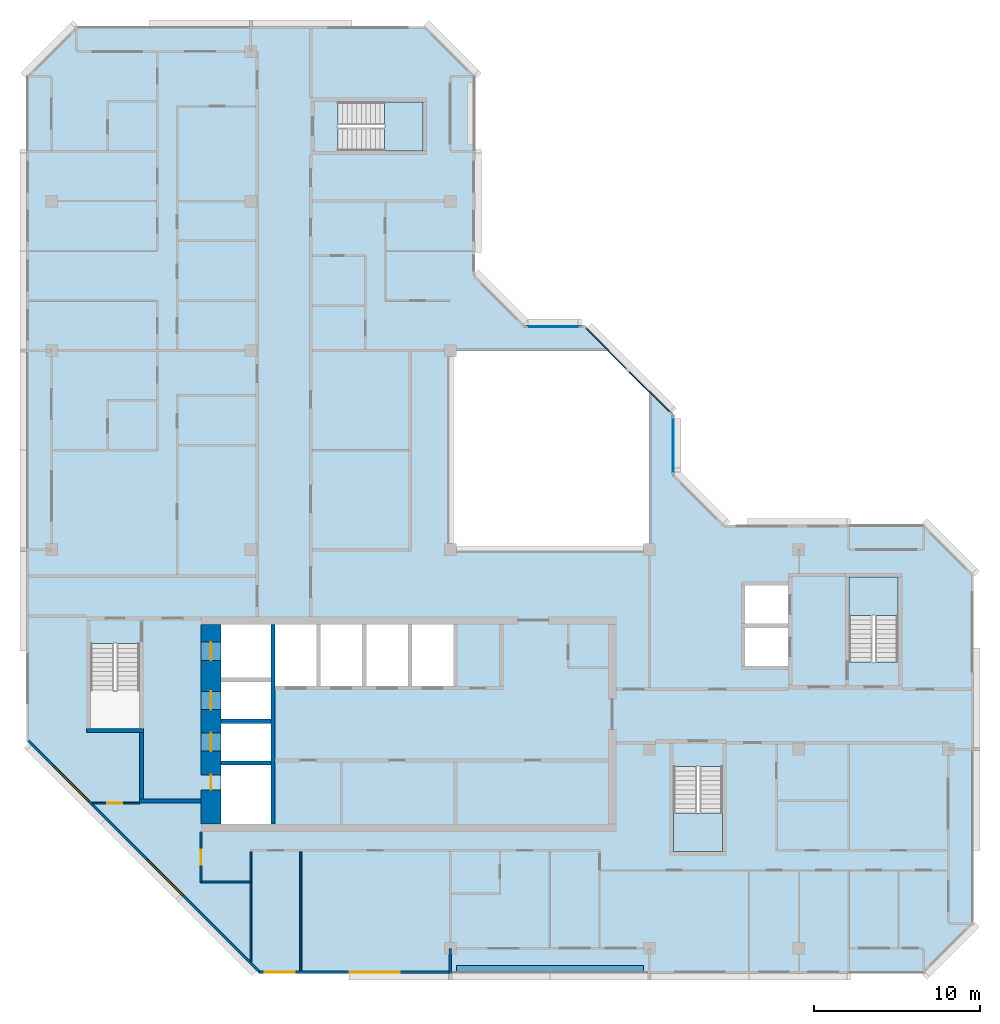
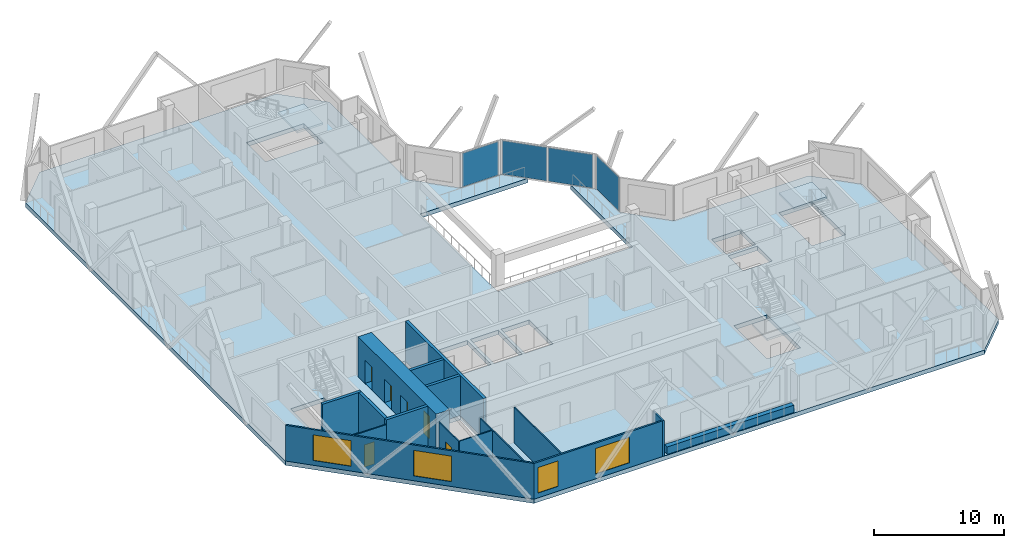
# One storey, part 3 of 12: 16 walls, 6 doors, 4 plates, 4 slabs, 4 windows, 10 openings, 6 elements without a shape of their own.
"""IFC4 building model written with IfcOpenShell, lengths in metres."""

from ifc_helpers import new_model, si_unit, direction, frame, frame_2d, origin, origin_2d, place, context, subcontext, project, spatial, polyline, rectangle, outline, extrude, material, layer, layer_set, type_object, element, fill, aggregate, save


model = new_model("IFC4")

# Units and contexts
model_context = context("Model", 3, precision=1e-05, world=origin(), true_north=direction((0.0, 1.0)))
body_context = subcontext(model_context, "Body", "Model", "MODEL_VIEW")
ifc_project = project(units=[si_unit("LENGTHUNIT", "METRE"), si_unit("AREAUNIT", "SQUARE_METRE"), si_unit("VOLUMEUNIT", "CUBIC_METRE"), si_unit("PLANEANGLEUNIT", "RADIAN"), si_unit("MASSUNIT", "GRAM", prefix="KILO")], contexts=[model_context])

# Site, building, storey
site_placement = place(None, origin())
site = spatial("IfcSite", under=ifc_project, at=site_placement, CompositionType="ELEMENT")
building_placement = place(site_placement, origin())
building = spatial("IfcBuilding", under=site, at=building_placement, Name="Chenar Terraces", CompositionType="ELEMENT")
storey_placement = place(building_placement, frame((0.0, 0.0, 338.89990234375)))
storey = spatial("IfcBuildingStorey", under=building, at=storey_placement, Name="L78", CompositionType="ELEMENT", Elevation=338.89990234375)

# Curtain wall, plate
ifc_material_1 = material(Name="Aluminium framed glazing", Category="aluminium")
ifc_layer_1 = layer(ifc_material_1, 0.14990234375)
ifc_layer_set_1 = layer_set([ifc_layer_1], Name="Aluminium framed glazing")
curtain_wall_type = type_object("IfcCurtainWallType", Name="Atrium upper-zone curtain wall", PredefinedType="NOTDEFINED", material=ifc_layer_set_1)
placement_1 = place(storey_placement, origin())
curtain_wall_1 = element("IfcCurtainWall", 1, at=placement_1, inside=storey, type_object=curtain_wall_type, Name="Atrium upper-zone curtain wall", PredefinedType="NOTDEFINED")
ifc_material_2 = material(Name="Low emissivity laminated glass, solar control coating", Category="glass")
ifc_layer_2 = layer(ifc_material_2, 0.050048828125)
ifc_layer_set_2 = layer_set([ifc_layer_2], Name="Low emissivity laminated glass, solar control coating")
plate_type = type_object("IfcPlateType", Name="Atrium upper-zone glazing panel 50", PredefinedType="CURTAIN_PANEL", material=ifc_layer_set_2)
plate_1_placement = place(storey_placement, frame((37.425048828125, 30.300048828125, 0.10009765625), z_axis=(0.0, 0.0, 1.0), x_axis=(0.0, 1.0, 0.0)))
plate_1 = element("IfcPlate", 2, at=plate_1_placement, type_object=plate_type, Name="CW8-1 panel 1.1", PredefinedType="CURTAIN_PANEL", context=body_context, shape_type="SweptSolid", body=[
    extrude(rectangle(XDim=3.39990234375, YDim=0.050048828125, at=origin_2d()), origin(), (0.0, 0.0, 1.0), 3.14990234375),
])
aggregate(curtain_wall_1, [plate_1])

# Curtain wall, plates
curtain_wall_2 = element("IfcCurtainWall", 3, at=placement_1, inside=storey, type_object=curtain_wall_type, Name="Atrium upper-zone curtain wall", PredefinedType="NOTDEFINED")
plate_2_placement = place(storey_placement, frame((35.97314453125, 33.520751953125, 0.10009765625), z_axis=(0.0, 0.0, 1.0), x_axis=(-0.707106781187, 0.707106781187, 0.0)))
plate_2 = element("IfcPlate", 4, at=plate_2_placement, type_object=plate_type, Name="CW8-2 panel 1.1", PredefinedType="CURTAIN_PANEL", context=body_context, shape_type="SweptSolid", body=[
    extrude(rectangle(XDim=3.568359375, YDim=0.050048828125, at=origin_2d()), origin(), (0.0, 0.0, 1.0), 3.14990234375),
])
plate_3_placement = place(storey_placement, frame((33.379150390625, 36.11474609375, 0.10009765625), z_axis=(0.0, 0.0, 1.0), x_axis=(-0.707106781187, 0.707106781187, 0.0)))
plate_3 = element("IfcPlate", 5, at=plate_3_placement, type_object=plate_type, Name="CW8-2 panel 2.1", PredefinedType="CURTAIN_PANEL", context=body_context, shape_type="SweptSolid", body=[
    extrude(rectangle(XDim=3.568359375, YDim=0.050048828125, at=origin_2d()), origin(), (0.0, 0.0, 1.0), 3.14990234375),
])
aggregate(curtain_wall_2, [plate_2, plate_3])

# Curtain wall, plate
curtain_wall_3 = element("IfcCurtainWall", 6, at=placement_1, inside=storey, type_object=curtain_wall_type, Name="Atrium upper-zone curtain wall", PredefinedType="NOTDEFINED")
plate_4_placement = place(storey_placement, frame((30.199951171875, 37.425048828125, 0.10009765625), z_axis=(0.0, 0.0, 1.0), x_axis=(-1.0, 0.0, 0.0)))
plate_4 = element("IfcPlate", 7, at=plate_4_placement, type_object=plate_type, Name="CW8-3 panel 1.1", PredefinedType="CURTAIN_PANEL", context=body_context, shape_type="SweptSolid", body=[
    extrude(rectangle(XDim=3.199951171875, YDim=0.050048828125, at=origin_2d()), origin(), (0.0, 0.0, 1.0), 3.14990234375),
])
aggregate(curtain_wall_3, [plate_4])

# Stair, slab
ifc_material_3 = material(Name="Reinforced concrete C40/50", Category="concrete")
stair_type = type_object("IfcStairType", Name="Core stair 1400 half-turn", PredefinedType="HALF_TURN_STAIR", material=ifc_material_3)
stair_1 = element("IfcStair", 8, at=placement_1, inside=storey, type_object=stair_type, Name="L78 Stair 2", PredefinedType="HALF_TURN_STAIR")
ifc_material_4 = material(Name="Reinforced concrete C40/50", Category="concrete")
ifc_layer_3 = layer(ifc_material_4, 0.199951171875)
ifc_layer_set_3 = layer_set([ifc_layer_3], Name="Reinforced concrete C40/50")
slab_type_1 = type_object("IfcSlabType", Name="Core stair landing 200", PredefinedType="LANDING", material=ifc_layer_set_3)
placement_2 = place(storey_placement, frame((0.0, 0.0, 1.675048828125)))
slab_1 = element("IfcSlab", 9, at=placement_2, type_object=slab_type_1, Name="ST2 landing 1", PredefinedType="LANDING", context=body_context, shape_type="SweptSolid", body=[
    extrude(outline(polyline([(37.449951171875, 8.14990234375), (37.449951171875, 5.85009765625), (40.39990234375, 5.85009765625), (40.39990234375, 8.14990234375), (37.449951171875, 8.14990234375)])), origin(), (0.0, 0.0, 1.0), 0.199951171875),
])
aggregate(stair_1, [slab_1])

stair_2 = element("IfcStair", 10, at=placement_1, inside=storey, type_object=stair_type, Name="L78 Stair 3", PredefinedType="HALF_TURN_STAIR")
slab_2 = element("IfcSlab", 11, at=placement_2, type_object=slab_type_1, Name="ST3 landing 1", PredefinedType="LANDING", context=body_context, shape_type="SweptSolid", body=[
    extrude(outline(polyline([(50.97509765625, 20.050048828125), (50.97509765625, 22.35009765625), (48.02490234375, 22.35009765625), (48.02490234375, 20.050048828125), (50.97509765625, 20.050048828125)])), origin(), (0.0, 0.0, 1.0), 0.199951171875),
])
aggregate(stair_2, [slab_2])

stair_3 = element("IfcStair", 12, at=placement_1, inside=storey, type_object=stair_type, Name="L78 Stair 4", PredefinedType="HALF_TURN_STAIR")
slab_3 = element("IfcSlab", 13, at=placement_2, type_object=slab_type_1, Name="ST4 landing 1", PredefinedType="LANDING", context=body_context, shape_type="SweptSolid", body=[
    extrude(outline(polyline([(20.050048828125, 48.02490234375), (22.35009765625, 48.02490234375), (22.35009765625, 50.97509765625), (20.050048828125, 50.97509765625), (20.050048828125, 48.02490234375)])), origin(), (0.0, 0.0, 1.0), 0.199951171875),
])
aggregate(stair_3, [slab_3])

# Slab
ifc_material_5 = material(Name="Concrete C40/50", Category="concrete")
ifc_layer_4 = layer(ifc_material_5, 0.39990234375)
ifc_layer_set_4 = layer_set([ifc_layer_4], Name="Concrete C40/50")
slab_type_2 = type_object("IfcSlabType", Name="Floor slab 400 Concrete C40/50", PredefinedType="FLOOR", material=ifc_layer_set_4)
slab_4_placement = place(storey_placement, frame((0.0, 0.0, -0.39990234375)))
element("IfcSlab", 14, at=slab_4_placement, inside=storey, type_object=slab_type_2, Name="Floor slab L78", PredefinedType="FLOOR", context=body_context, shape_type="SweptSolid", body=[
    extrude(outline(polyline([(55.5, 22.5), (55.5, 1.5), (52.5, -1.5), (12.5, -1.5), (-1.5, 12.5), (-1.5, 52.5), (1.5, 55.5), (22.5, 55.5), (25.5, 52.5), (25.5, 40.5), (28.5, 37.5), (32.10009765625, 37.5), (33.60009765625, 36.0), (24.0, 36.0), (24.0, 24.0), (36.0, 24.0), (36.0, 33.60009765625), (37.5, 32.10009765625), (37.5, 28.5), (40.5, 25.5), (52.5, 25.5), (55.5, 22.5)]), holes=[polyline([(10.199951171875, 11.050048828125), (10.199951171875, 7.5), (13.199951171875, 7.5), (13.199951171875, 11.050048828125), (10.199951171875, 11.050048828125)]), polyline([(13.199951171875, 13.550048828125), (10.199951171875, 13.550048828125), (10.199951171875, 11.300048828125), (13.199951171875, 11.300048828125), (13.199951171875, 13.550048828125)]), polyline([(13.199951171875, 16.050048828125), (10.199951171875, 16.050048828125), (10.199951171875, 13.800048828125), (13.199951171875, 13.800048828125), (13.199951171875, 16.050048828125)]), polyline([(2.35009765625, 13.25), (5.300048828125, 13.25), (5.300048828125, 18.35009765625), (2.35009765625, 18.35009765625), (2.35009765625, 13.25)]), polyline([(15.949951171875, 19.5), (13.449951171875, 19.5), (13.449951171875, 15.800048828125), (15.949951171875, 15.800048828125), (15.949951171875, 19.5)]), polyline([(18.699951171875, 19.5), (16.199951171875, 19.5), (16.199951171875, 15.800048828125), (18.699951171875, 15.800048828125), (18.699951171875, 19.5)]), polyline([(13.199951171875, 19.5), (10.199951171875, 19.5), (10.199951171875, 16.300048828125), (13.199951171875, 16.300048828125), (13.199951171875, 19.5)]), polyline([(22.35009765625, 48.02490234375), (22.35009765625, 50.97509765625), (17.25, 50.97509765625), (17.25, 48.02490234375), (22.35009765625, 48.02490234375)]), polyline([(37.449951171875, 5.85009765625), (40.39990234375, 5.85009765625), (40.39990234375, 10.949951171875), (37.449951171875, 10.949951171875), (37.449951171875, 5.85009765625)]), polyline([(21.449951171875, 19.5), (18.949951171875, 19.5), (18.949951171875, 15.800048828125), (21.449951171875, 15.800048828125), (21.449951171875, 19.5)]), polyline([(24.199951171875, 19.5), (21.699951171875, 19.5), (21.699951171875, 15.800048828125), (24.199951171875, 15.800048828125), (24.199951171875, 19.5)]), polyline([(44.35009765625, 19.300048828125), (41.75, 19.300048828125), (41.75, 17.0), (44.35009765625, 17.0), (44.35009765625, 19.300048828125)]), polyline([(50.97509765625, 22.35009765625), (48.02490234375, 22.35009765625), (48.02490234375, 17.25), (50.97509765625, 17.25), (50.97509765625, 22.35009765625)]), polyline([(44.35009765625, 21.85009765625), (41.75, 21.85009765625), (41.75, 19.550048828125), (44.35009765625, 19.550048828125), (44.35009765625, 21.85009765625)])]), origin(), (0.0, 0.0, 1.0), 0.39990234375),
])

# Wall, openings, doors
ifc_material_6 = material(Name="Concrete C50/60", Category="concrete")
ifc_layer_5 = layer(ifc_material_6, 1.199951171875)
ifc_layer_set_5 = layer_set([ifc_layer_5], Name="Concrete C50/60")
wall_type_1 = type_object("IfcWallType", Name="Core wall 1200 Concrete C50/60", PredefinedType="SHEAR", material=ifc_layer_set_5)
wall_1_placement = place(storey_placement, frame((9.60009765625, 7.5, 0.0), z_axis=(0.0, 0.0, 1.0), x_axis=(0.0, 1.0, 0.0)))
wall_1 = element("IfcWall", 15, at=wall_1_placement, inside=storey, type_object=wall_type_1, Name="Core wall W L78", PredefinedType="SHEAR", context=body_context, shape_type="SweptSolid", body=[
    extrude(rectangle(XDim=12.0, YDim=1.199951171875, at=frame_2d((6.0, 0.0))), origin(), (0.0, 0.0, 1.0), 3.75),
])
opening_1_placement = place(wall_1_placement, frame((4.375, 0.0, 0.0)))
opening_1 = element("IfcOpeningElement", 16, at=opening_1_placement, cuts=wall_1, Name="Opening DL78-LD5", PredefinedType="OPENING", context=body_context, shape_type="SweptSolid", body=[
    extrude(rectangle(XDim=1.10009765625, YDim=2.199951171875, at=frame_2d((0.550048828125, 1.10009765625))), frame((0.0, 0.60986328125, 0.0), z_axis=(0.0, -1.0, 0.0), x_axis=(1.0, 0.0, 0.0)), (0.0, 0.0, 1.0), 1.219970703125),
])
opening_2_placement = place(wall_1_placement, frame((6.875, 0.0, 0.0)))
opening_2 = element("IfcOpeningElement", 17, at=opening_2_placement, cuts=wall_1, Name="Opening DL78-LD6", PredefinedType="OPENING", context=body_context, shape_type="SweptSolid", body=[
    extrude(rectangle(XDim=1.10009765625, YDim=2.199951171875, at=frame_2d((0.550048828125, 1.10009765625))), frame((0.0, 0.60986328125, 0.0), z_axis=(0.0, -1.0, 0.0), x_axis=(1.0, 0.0, 0.0)), (0.0, 0.0, 1.0), 1.219970703125),
])
opening_3_placement = place(wall_1_placement, frame((9.85009765625, 0.0, 0.0)))
opening_3 = element("IfcOpeningElement", 18, at=opening_3_placement, cuts=wall_1, Name="Opening DL78-LD7", PredefinedType="OPENING", context=body_context, shape_type="SweptSolid", body=[
    extrude(rectangle(XDim=1.10009765625, YDim=2.199951171875, at=frame_2d((0.550048828125, 1.10009765625))), frame((0.0, 0.60986328125, 0.0), z_axis=(0.0, -1.0, 0.0), x_axis=(1.0, 0.0, 0.0)), (0.0, 0.0, 1.0), 1.219970703125),
])
opening_4_placement = place(wall_1_placement, frame((2.050048828125, 0.0, 0.0)))
opening_4 = element("IfcOpeningElement", 19, at=opening_4_placement, cuts=wall_1, Name="Opening DL78-C4", PredefinedType="OPENING", context=body_context, shape_type="SweptSolid", body=[
    extrude(rectangle(XDim=0.89990234375, YDim=2.10009765625, at=frame_2d((0.449951171875, 1.050048828125))), frame((0.0, 0.60986328125, 0.0), z_axis=(0.0, -1.0, 0.0), x_axis=(1.0, 0.0, 0.0)), (0.0, 0.0, 1.0), 1.219970703125),
])
ifc_material_7 = material(Name="Stainless steel", Category="steel")
door_type_1 = type_object("IfcDoorType", Name="Lift landing door 1100 x 2200 sliding", OperationType="DOUBLE_DOOR_SLIDING", PredefinedType="DOOR", material=ifc_material_7)
door_1_placement = place(opening_1_placement, origin())
door_1 = element("IfcDoor", 20, at=door_1_placement, inside=storey, type_object=door_type_1, Name="Landing door S1", OperationType="DOUBLE_DOOR_SLIDING", OverallHeight=2.199951171875, OverallWidth=1.10009765625, PredefinedType="DOOR", context=body_context, shape_type="SweptSolid", body=[
    extrude(rectangle(XDim=1.10009765625, YDim=2.199951171875, at=frame_2d((0.550048828125, 1.10009765625))), frame((0.0, 0.02490234375, 0.0), z_axis=(0.0, -1.0, 0.0), x_axis=(1.0, 0.0, 0.0)), (0.0, 0.0, 1.0), 0.050048828125),
])
fill(opening_1, door_1)
door_2_placement = place(opening_2_placement, origin())
door_2 = element("IfcDoor", 21, at=door_2_placement, inside=storey, type_object=door_type_1, Name="Landing door F1", OperationType="DOUBLE_DOOR_SLIDING", OverallHeight=2.199951171875, OverallWidth=1.10009765625, PredefinedType="DOOR", context=body_context, shape_type="SweptSolid", body=[
    extrude(rectangle(XDim=1.10009765625, YDim=2.199951171875, at=frame_2d((0.550048828125, 1.10009765625))), frame((0.0, 0.02490234375, 0.0), z_axis=(0.0, -1.0, 0.0), x_axis=(1.0, 0.0, 0.0)), (0.0, 0.0, 1.0), 0.050048828125),
])
fill(opening_2, door_2)
door_3_placement = place(opening_3_placement, origin())
door_3 = element("IfcDoor", 22, at=door_3_placement, inside=storey, type_object=door_type_1, Name="Landing door F2", OperationType="DOUBLE_DOOR_SLIDING", OverallHeight=2.199951171875, OverallWidth=1.10009765625, PredefinedType="DOOR", context=body_context, shape_type="SweptSolid", body=[
    extrude(rectangle(XDim=1.10009765625, YDim=2.199951171875, at=frame_2d((0.550048828125, 1.10009765625))), frame((0.0, 0.02490234375, 0.0), z_axis=(0.0, -1.0, 0.0), x_axis=(1.0, 0.0, 0.0)), (0.0, 0.0, 1.0), 0.050048828125),
])
fill(opening_3, door_3)
ifc_material_8 = material(Name="Steel-framed fire-resisting door leaf", Category="steel")
door_type_2 = type_object("IfcDoorType", Name="Riser fire door FD60 900 x 2100", OperationType="SINGLE_SWING_LEFT", PredefinedType="DOOR", material=ifc_material_8)
door_4_placement = place(opening_4_placement, frame((0.89990234375, 0.0, 0.0), z_axis=(0.0, 0.0, 1.0), x_axis=(-1.0, 0.0, 0.0)))
door_4 = element("IfcDoor", 23, at=door_4_placement, inside=storey, type_object=door_type_2, Name="Riser door DL78-C4", OperationType="SINGLE_SWING_LEFT", OverallHeight=2.10009765625, OverallWidth=0.89990234375, PredefinedType="DOOR", context=body_context, shape_type="SweptSolid", body=[
    extrude(rectangle(XDim=0.89990234375, YDim=2.10009765625, at=frame_2d((0.449951171875, 1.050048828125))), frame((0.0, 0.02490234375, 0.0), z_axis=(0.0, -1.0, 0.0), x_axis=(1.0, 0.0, 0.0)), (0.0, 0.0, 1.0), 0.050048828125),
])
fill(opening_4, door_4)

# Walls
ifc_material_9 = material(Name="Concrete C50/60", Category="concrete")
ifc_layer_6 = layer(ifc_material_9, 0.25)
ifc_layer_set_6 = layer_set([ifc_layer_6], Name="Concrete C50/60")
wall_type_2 = type_object("IfcWallType", Name="Core wall 250 Concrete C50/60", PredefinedType="SHEAR", material=ifc_layer_set_6)
wall_2_placement = place(storey_placement, frame((13.324951171875, 7.5, 0.0), z_axis=(0.0, 0.0, 1.0), x_axis=(0.0, 1.0, 0.0)))
element("IfcWall", 24, at=wall_2_placement, inside=storey, type_object=wall_type_2, Name="Core wall WI L78", PredefinedType="SHEAR", context=body_context, shape_type="SweptSolid", body=[
    extrude(rectangle(XDim=12.0, YDim=0.25, at=frame_2d((6.0, 0.0))), origin(), (0.0, 0.0, 1.0), 3.75),
])
for number, where, z_axis, x_axis, name in (
    (25, (10.199951171875, 11.175048828125, 0.0), (0.0, 0.0, 1.0), (1.0, 0.0, 0.0), "Core wall HW0 L78"),
    (26, (10.199951171875, 13.675048828125, 0.0), (0.0, 0.0, 1.0), (1.0, 0.0, 0.0), "Core wall HW1 L78"),
):
    element("IfcWall", number, at=place(storey_placement, frame(where, z_axis=z_axis, x_axis=x_axis)), inside=storey, type_object=wall_type_2, Name=name, PredefinedType="SHEAR", context=body_context, shape_type="SweptSolid", body=[
        extrude(rectangle(XDim=3.0, YDim=0.25, at=frame_2d((1.5, 0.0))), origin(), (0.0, 0.0, 1.0), 3.75),
    ])
wall_3_placement = place(storey_placement, frame((2.10009765625, 13.125, 0.0), z_axis=(0.0, 0.0, 1.0), x_axis=(1.0, 0.0, 0.0)))
element("IfcWall", 27, at=wall_3_placement, inside=storey, type_object=wall_type_2, Name="Core wall ST1_S L78", PredefinedType="SHEAR", context=body_context, shape_type="SweptSolid", body=[
    extrude(rectangle(XDim=3.449951171875, YDim=0.25, at=frame_2d((1.72509765625, 0.0))), origin(), (0.0, 0.0, 1.0), 3.75),
])
wall_4_placement = place(storey_placement, frame((5.300048828125, 8.875, 0.0), z_axis=(0.0, 0.0, 1.0), x_axis=(1.0, 0.0, 0.0)))
element("IfcWall", 28, at=wall_4_placement, inside=storey, type_object=wall_type_2, Name="Core wall FFL_S L78", PredefinedType="SHEAR", context=body_context, shape_type="SweptSolid", body=[
    extrude(rectangle(XDim=3.699951171875, YDim=0.25, at=frame_2d((1.85009765625, 0.0))), origin(), (0.0, 0.0, 1.0), 3.75),
])
wall_5_placement = place(storey_placement, frame((5.425048828125, 9.0, 0.0), z_axis=(0.0, 0.0, 1.0), x_axis=(0.0, 1.0, 0.0)))
element("IfcWall", 29, at=wall_5_placement, inside=storey, type_object=wall_type_2, Name="Core wall FFL_W L78", PredefinedType="SHEAR", context=body_context, shape_type="SweptSolid", body=[
    extrude(rectangle(XDim=4.0, YDim=0.25, at=frame_2d((2.0, 0.0))), origin(), (0.0, 0.0, 1.0), 3.75),
])

# Wall, openings, windows
ifc_material_10 = material(Name="Aluminium framed glazing", Category="aluminium")
ifc_layer_7 = layer(ifc_material_10, 0.14990234375)
ifc_layer_set_7 = layer_set([ifc_layer_7], Name="Aluminium framed glazing")
wall_type_3 = type_object("IfcWallType", Name="Glazed flush facade wall 150", PredefinedType="SOLIDWALL", material=ifc_layer_set_7)
wall_6_placement = place(storey_placement, frame((12.5, -1.425048828125, 0.0), z_axis=(0.0, 0.0, 1.0), x_axis=(1.0, 0.0, 0.0)))
wall_6 = element("IfcWall", 30, at=wall_6_placement, inside=storey, type_object=wall_type_3, Name="Glazed flush facade wall", PredefinedType="SOLIDWALL", context=body_context, shape_type="SweptSolid", body=[
    extrude(rectangle(XDim=11.425048828125, YDim=0.14990234375, at=frame_2d((5.71240234375, 0.0))), origin(), (0.0, 0.0, 1.0), 3.35009765625),
])
opening_5_placement = place(wall_6_placement, frame((0.35009765625, 0.0, 0.449951171875)))
opening_5 = element("IfcOpeningElement", 31, at=opening_5_placement, cuts=wall_6, Name="Opening W180x240", PredefinedType="OPENING", context=body_context, shape_type="SweptSolid", body=[
    extrude(rectangle(XDim=1.800048828125, YDim=2.39990234375, at=frame_2d((0.89990234375, 1.199951171875))), frame((0.0, 0.0849609375, 0.0), z_axis=(0.0, -1.0, 0.0), x_axis=(1.0, 0.0, 0.0)), (0.0, 0.0, 1.0), 0.169921875),
])
opening_6_placement = place(wall_6_placement, frame((5.46240234375, 0.0, 0.449951171875)))
opening_6 = element("IfcOpeningElement", 32, at=opening_6_placement, cuts=wall_6, Name="Opening W300x240", PredefinedType="OPENING", context=body_context, shape_type="SweptSolid", body=[
    extrude(rectangle(XDim=3.0, YDim=2.39990234375, at=frame_2d((1.5, 1.199951171875))), frame((0.0, 0.0849609375, 0.0), z_axis=(0.0, -1.0, 0.0), x_axis=(1.0, 0.0, 0.0)), (0.0, 0.0, 1.0), 0.169921875),
])
ifc_material_11 = material(Name="Low emissivity double glazing, aluminium frame", Category="aluminium")
window_type_1 = type_object("IfcWindowType", Name="Fixed light 1800 x 2400", PartitioningType="SINGLE_PANEL", PredefinedType="WINDOW", material=ifc_material_11)
window_1_placement = place(opening_5_placement, origin())
window_1 = element("IfcWindow", 33, at=window_1_placement, inside=storey, type_object=window_type_1, Name="Window", OverallHeight=2.39990234375, OverallWidth=1.800048828125, PartitioningType="SINGLE_PANEL", PredefinedType="WINDOW", context=body_context, shape_type="SweptSolid", body=[
    extrude(rectangle(XDim=1.800048828125, YDim=2.39990234375, at=frame_2d((0.89990234375, 1.199951171875))), frame((0.0, 0.030029296875, 0.0), z_axis=(0.0, -1.0, 0.0), x_axis=(1.0, 0.0, 0.0)), (0.0, 0.0, 1.0), 0.06005859375),
])
fill(opening_5, window_1)
ifc_material_12 = material(Name="Low emissivity double glazing, aluminium frame", Category="aluminium")
window_type_2 = type_object("IfcWindowType", Name="Fixed light 3000 x 2400", PartitioningType="SINGLE_PANEL", PredefinedType="WINDOW", material=ifc_material_12)
window_2_placement = place(opening_6_placement, origin())
window_2 = element("IfcWindow", 34, at=window_2_placement, inside=storey, type_object=window_type_2, Name="Window", OverallHeight=2.39990234375, OverallWidth=3.0, PartitioningType="SINGLE_PANEL", PredefinedType="WINDOW", context=body_context, shape_type="SweptSolid", body=[
    extrude(rectangle(XDim=3.0, YDim=2.39990234375, at=frame_2d((1.5, 1.199951171875))), frame((0.0, 0.030029296875, 0.0), z_axis=(0.0, -1.0, 0.0), x_axis=(1.0, 0.0, 0.0)), (0.0, 0.0, 1.0), 0.06005859375),
])
fill(opening_6, window_2)

# Wall, opening, door
ifc_material_13 = material(Name="Gypsum board on steel studs", Category="steel")
ifc_layer_8 = layer(ifc_material_13, 0.10009765625)
ifc_layer_set_8 = layer_set([ifc_layer_8], Name="Gypsum board on steel studs")
wall_type_4 = type_object("IfcWallType", Name="Gypsum partition 100", PredefinedType="PARTITIONING", material=ifc_layer_set_8)
wall_7_placement = place(storey_placement, frame((2.4609375, 8.75, 0.0), z_axis=(0.0, 0.0, 1.0), x_axis=(1.0, 0.0, 0.0)))
wall_7 = element("IfcWall", 35, at=wall_7_placement, inside=storey, type_object=wall_type_4, Name="Partition L78-009", PredefinedType="PARTITIONING", context=body_context, shape_type="SweptSolid", body=[
    extrude(rectangle(XDim=2.839111328125, YDim=0.10009765625, at=frame_2d((1.41943359375, 0.0))), origin(), (0.0, 0.0, 1.0), 3.35009765625),
])
opening_7_placement = place(wall_7_placement, frame((0.888916015625, 0.0, 0.0)))
opening_7 = element("IfcOpeningElement", 36, at=opening_7_placement, cuts=wall_7, Name="Opening DL78-32", PredefinedType="OPENING", context=body_context, shape_type="SweptSolid", body=[
    extrude(rectangle(XDim=0.89990234375, YDim=2.10009765625, at=frame_2d((0.449951171875, 1.050048828125))), frame((0.0, 0.06005859375, 0.0), z_axis=(0.0, -1.0, 0.0), x_axis=(1.0, 0.0, 0.0)), (0.0, 0.0, 1.0), 0.1201171875),
])
ifc_material_14 = material(Name="Veneered timber door leaf", Category="wood")
door_type_3 = type_object("IfcDoorType", Name="Door 900 x 2100", OperationType="SINGLE_SWING_LEFT", PredefinedType="DOOR", material=ifc_material_14)
door_5_placement = place(opening_7_placement, frame((0.89990234375, 0.0, 0.0), z_axis=(0.0, 0.0, 1.0), x_axis=(-1.0, 0.0, 0.0)))
door_5 = element("IfcDoor", 37, at=door_5_placement, inside=storey, type_object=door_type_3, Name="Door DL78-32", OperationType="SINGLE_SWING_RIGHT", OverallHeight=2.10009765625, OverallWidth=0.89990234375, PredefinedType="DOOR", context=body_context, shape_type="SweptSolid", body=[
    extrude(rectangle(XDim=0.89990234375, YDim=2.10009765625, at=frame_2d((0.449951171875, 1.050048828125))), frame((0.0, 0.02490234375, 0.0), z_axis=(0.0, -1.0, 0.0), x_axis=(1.0, 0.0, 0.0)), (0.0, 0.0, 1.0), 0.050048828125),
])
fill(opening_7, door_5)

wall_8_placement = place(storey_placement, frame((9.0, 3.949951171875, 0.0), z_axis=(0.0, 0.0, 1.0), x_axis=(0.0, 1.0, 0.0)))
wall_8 = element("IfcWall", 38, at=wall_8_placement, inside=storey, type_object=wall_type_4, Name="Partition L78-025", PredefinedType="PARTITIONING", context=body_context, shape_type="SweptSolid", body=[
    extrude(rectangle(XDim=3.050048828125, YDim=0.10009765625, at=frame_2d((1.52490234375, 0.0))), origin(), (0.0, 0.0, 1.0), 3.35009765625),
])
opening_8_placement = place(wall_8_placement, frame((1.10009765625, 0.0, 0.0)))
opening_8 = element("IfcOpeningElement", 39, at=opening_8_placement, cuts=wall_8, Name="Opening DL78-31", PredefinedType="OPENING", context=body_context, shape_type="SweptSolid", body=[
    extrude(rectangle(XDim=0.89990234375, YDim=2.10009765625, at=frame_2d((0.449951171875, 1.050048828125))), frame((0.0, 0.06005859375, 0.0), z_axis=(0.0, -1.0, 0.0), x_axis=(1.0, 0.0, 0.0)), (0.0, 0.0, 1.0), 0.1201171875),
])
door_6_placement = place(opening_8_placement, origin())
door_6 = element("IfcDoor", 40, at=door_6_placement, inside=storey, type_object=door_type_3, Name="Door DL78-31", OperationType="SINGLE_SWING_LEFT", OverallHeight=2.10009765625, OverallWidth=0.89990234375, PredefinedType="DOOR", context=body_context, shape_type="SweptSolid", body=[
    extrude(rectangle(XDim=0.89990234375, YDim=2.10009765625, at=frame_2d((0.449951171875, 1.050048828125))), frame((0.0, 0.02490234375, 0.0), z_axis=(0.0, -1.0, 0.0), x_axis=(1.0, 0.0, 0.0)), (0.0, 0.0, 1.0), 0.050048828125),
])
fill(opening_8, door_6)

# Walls
wall_9_placement = place(storey_placement, frame((9.050048828125, 4.0, 0.0), z_axis=(0.0, 0.0, 1.0), x_axis=(1.0, 0.0, 0.0)))
element("IfcWall", 41, at=wall_9_placement, inside=storey, type_object=wall_type_4, Name="Partition L78-026", PredefinedType="PARTITIONING", context=body_context, shape_type="SweptSolid", body=[
    extrude(rectangle(XDim=2.89990234375, YDim=0.10009765625, at=frame_2d((1.449951171875, 0.0))), origin(), (0.0, 0.0, 1.0), 3.35009765625),
])
wall_10_placement = place(storey_placement, frame((12.0, -0.787841796875, 0.0), z_axis=(0.0, 0.0, 1.0), x_axis=(0.0, 1.0, 0.0)))
element("IfcWall", 42, at=wall_10_placement, inside=storey, type_object=wall_type_4, Name="Partition L78-028", PredefinedType="PARTITIONING", context=body_context, shape_type="SweptSolid", body=[
    extrude(rectangle(XDim=6.61279296875, YDim=0.10009765625, at=frame_2d((3.306396484375, 0.0))), origin(), (0.0, 0.0, 1.0), 3.35009765625),
])
wall_11_placement = place(storey_placement, frame((15.0, -1.35009765625, 0.0), z_axis=(0.0, 0.0, 1.0), x_axis=(0.0, 1.0, 0.0)))
element("IfcWall", 43, at=wall_11_placement, inside=storey, type_object=wall_type_4, Name="Partition L78-030", PredefinedType="PARTITIONING", context=body_context, shape_type="SweptSolid", body=[
    extrude(rectangle(XDim=7.175048828125, YDim=0.10009765625, at=frame_2d((3.58740234375, 0.0))), origin(), (0.0, 0.0, 1.0), 3.35009765625),
])
ifc_material_15 = material(Name="Terracotta cladding on insulated backing", Category="masonry")
ifc_layer_9 = layer(ifc_material_15, 0.14990234375)
ifc_layer_set_9 = layer_set([ifc_layer_9], Name="Terracotta cladding on insulated backing")
wall_type_5 = type_object("IfcWallType", Name="Loggia return wall 150", PredefinedType="SOLIDWALL", material=ifc_layer_set_9)
wall_12_placement = place(storey_placement, frame((24.0, -1.5, 0.0), z_axis=(0.0, 0.0, 1.0), x_axis=(0.0, 1.0, 0.0)))
element("IfcWall", 44, at=wall_12_placement, inside=storey, type_object=wall_type_5, Name="Loggia return wall", PredefinedType="SOLIDWALL", context=body_context, shape_type="SweptSolid", body=[
    extrude(rectangle(XDim=1.5, YDim=0.14990234375, at=frame_2d((0.75, 0.0))), origin(), (0.0, 0.0, 1.0), 3.35009765625),
])

# Wall, openings, windows
ifc_material_16 = material(Name="Terracotta cladding on insulated backing", Category="masonry")
ifc_layer_10 = layer(ifc_material_16, 0.14990234375)
ifc_layer_set_10 = layer_set([ifc_layer_10], Name="Terracotta cladding on insulated backing")
wall_type_6 = type_object("IfcWallType", Name="Terracotta rainscreen wall 150", PredefinedType="SOLIDWALL", material=ifc_layer_set_10)
wall_13_placement = place(storey_placement, frame((-1.447021484375, 12.552978515625, 0.0), z_axis=(0.0, 0.0, 1.0), x_axis=(0.707106781187, -0.707106781187, 0.0)))
wall_13 = element("IfcWall", 45, at=wall_13_placement, inside=storey, type_object=wall_type_6, Name="Terracotta rainscreen wall", PredefinedType="SOLIDWALL", context=body_context, shape_type="SweptSolid", body=[
    extrude(rectangle(XDim=19.799072265625, YDim=0.14990234375, at=frame_2d((9.8994140625, 0.0))), origin(), (0.0, 0.0, 1.0), 3.35009765625),
])
opening_9_placement = place(wall_13_placement, frame((2.21240234375, 0.0, 0.449951171875)))
opening_9 = element("IfcOpeningElement", 46, at=opening_9_placement, cuts=wall_13, Name="Opening W300x240", PredefinedType="OPENING", context=body_context, shape_type="SweptSolid", body=[
    extrude(rectangle(XDim=3.0, YDim=2.39990234375, at=frame_2d((1.5, 1.199951171875))), frame((0.0, 0.0849609375, 0.0), z_axis=(0.0, -1.0, 0.0), x_axis=(1.0, 0.0, 0.0)), (0.0, 0.0, 1.0), 0.169921875),
])
opening_10_placement = place(wall_13_placement, frame((10.215576171875, 0.0, 0.449951171875)))
opening_10 = element("IfcOpeningElement", 47, at=opening_10_placement, cuts=wall_13, Name="Opening W300x240", PredefinedType="OPENING", context=body_context, shape_type="SweptSolid", body=[
    extrude(rectangle(XDim=3.0, YDim=2.39990234375, at=frame_2d((1.5, 1.199951171875))), frame((0.0, 0.0849609375, 0.0), z_axis=(0.0, -1.0, 0.0), x_axis=(1.0, 0.0, 0.0)), (0.0, 0.0, 1.0), 0.169921875),
])
window_3_placement = place(opening_9_placement, origin())
window_3 = element("IfcWindow", 48, at=window_3_placement, inside=storey, type_object=window_type_2, Name="Window", OverallHeight=2.39990234375, OverallWidth=3.0, PartitioningType="SINGLE_PANEL", PredefinedType="WINDOW", context=body_context, shape_type="SweptSolid", body=[
    extrude(rectangle(XDim=3.0, YDim=2.39990234375, at=frame_2d((1.5, 1.199951171875))), frame((0.0, 0.030029296875, 0.0), z_axis=(0.0, -1.0, 0.0), x_axis=(1.0, 0.0, 0.0)), (0.0, 0.0, 1.0), 0.06005859375),
])
fill(opening_9, window_3)
window_4_placement = place(opening_10_placement, origin())
window_4 = element("IfcWindow", 49, at=window_4_placement, inside=storey, type_object=window_type_2, Name="Window", OverallHeight=2.39990234375, OverallWidth=3.0, PartitioningType="SINGLE_PANEL", PredefinedType="WINDOW", context=body_context, shape_type="SweptSolid", body=[
    extrude(rectangle(XDim=3.0, YDim=2.39990234375, at=frame_2d((1.5, 1.199951171875))), frame((0.0, 0.030029296875, 0.0), z_axis=(0.0, -1.0, 0.0), x_axis=(1.0, 0.0, 0.0)), (0.0, 0.0, 1.0), 0.06005859375),
])
fill(opening_10, window_4)

# Wall
ifc_material_17 = material(Name="GRP planter trough")
ifc_layer_11 = layer(ifc_material_17, 0.39990234375)
ifc_layer_set_11 = layer_set([ifc_layer_11], Name="GRP planter trough")
wall_type_7 = type_object("IfcWallType", Name="Vertical greenery planter 400", PredefinedType="SOLIDWALL", material=ifc_layer_set_11)
wall_14_placement = place(storey_placement, frame((24.375, -1.22900390625, 0.0), z_axis=(0.0, 0.0, 1.0), x_axis=(1.0, 0.0, 0.0)))
element("IfcWall", 50, at=wall_14_placement, inside=storey, type_object=wall_type_7, Name="Vertical greenery planter", PredefinedType="SOLIDWALL", context=body_context, shape_type="SweptSolid", body=[
    extrude(rectangle(XDim=11.25, YDim=0.39990234375, at=frame_2d((5.625, 0.0))), origin(), (0.0, 0.0, 1.0), 0.7001953125),
])

save(model, "model.ifc")
